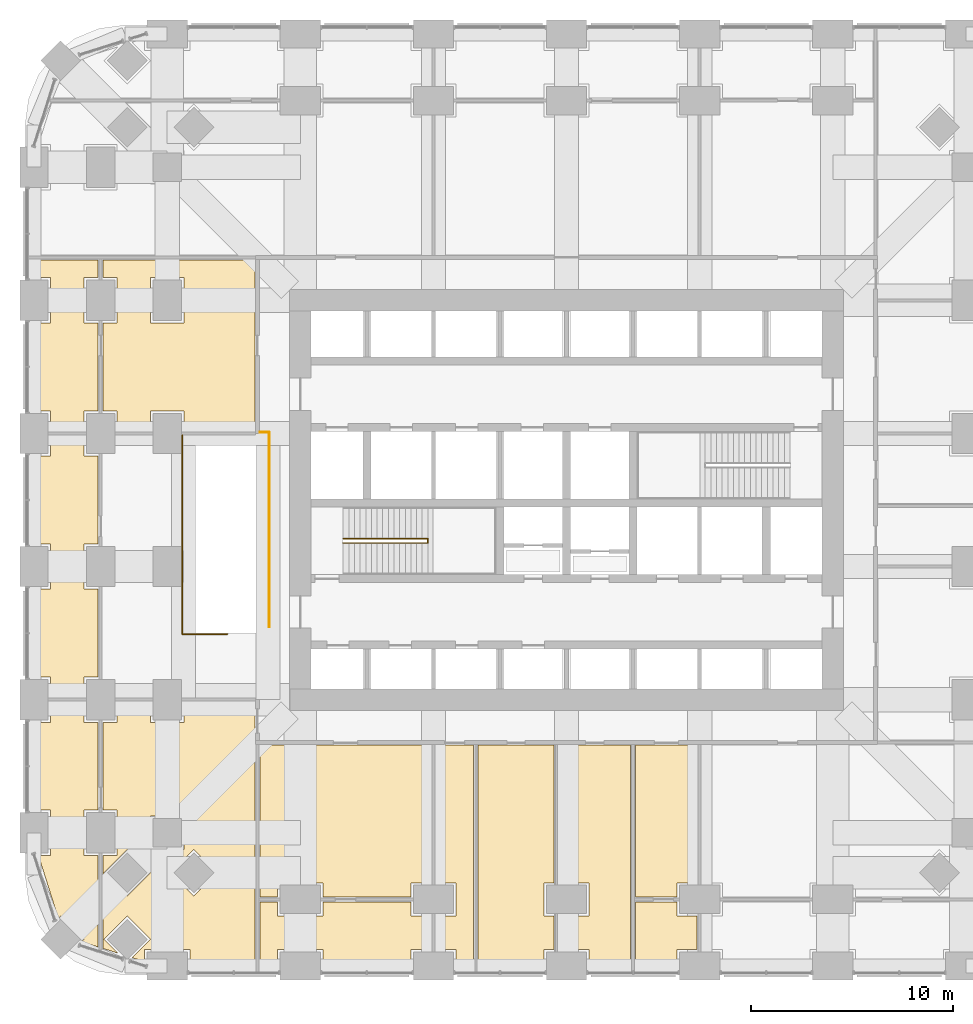
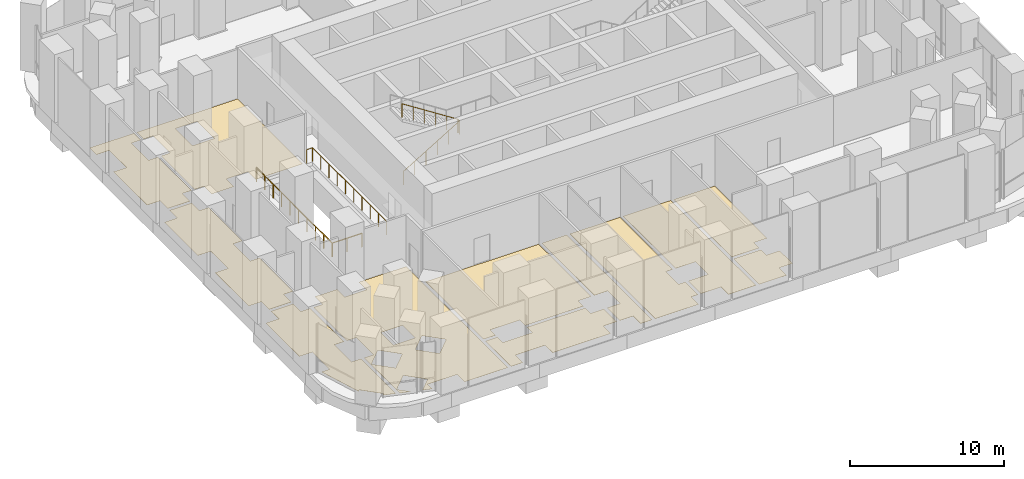
# One storey, part 15 of 17: 12 coverings, 3 railings.
"""IFC4 building model written with IfcOpenShell, lengths in metres."""

from ifc_helpers import new_model, si_unit, direction, frame, origin, place, context, subcontext, project, spatial, polyline, outline, extrude, material, layer, layer_set, type_object, element, save


model = new_model("IFC4")

# Units and contexts
model_context = context("Model", 3, precision=1e-05, world=origin(), true_north=direction((0.0, 1.0)))
body_context = subcontext(model_context, "Body", "Model", "MODEL_VIEW")
ifc_project = project(units=[si_unit("LENGTHUNIT", "METRE"), si_unit("AREAUNIT", "SQUARE_METRE"), si_unit("VOLUMEUNIT", "CUBIC_METRE"), si_unit("PLANEANGLEUNIT", "RADIAN"), si_unit("MASSUNIT", "GRAM", prefix="KILO")], contexts=[model_context])

# Site, building, storey
site_placement = place(None, origin())
site = spatial("IfcSite", under=ifc_project, at=site_placement, CompositionType="ELEMENT")
building_placement = place(site_placement, origin())
building = spatial("IfcBuilding", under=site, at=building_placement, Name="Cobogo Forest Laboratory Tower", CompositionType="ELEMENT")
storey_placement = place(building_placement, frame((0.0, 0.0, 7.199951171875)))
storey = spatial("IfcBuildingStorey", under=building, at=storey_placement, Name="L01", CompositionType="ELEMENT", Elevation=7.199951171875)

# Coverings
ifc_material_1 = material(Name="Carpet tile on raised access floor", Category="flooring")
ifc_layer_1 = layer(ifc_material_1, 0.008056640625)
ifc_layer_set_1 = layer_set([ifc_layer_1], Name="CT1 carpet tile floor 8")
covering_type_1 = type_object("IfcCoveringType", Name="CT1 carpet tile floor 8", PredefinedType="FLOORING", material=ifc_layer_set_1)
covering_1_placement = place(storey_placement, origin())
element("IfcCovering", 1, at=covering_1_placement, inside=storey, type_object=covering_type_1, Name="Carpet floor L01-02", PredefinedType="FLOORING", context=body_context, shape_type="SweptSolid", body=[
    extrude(outline(polyline([(12.080078125, 3.179931640625), (12.080078125, 2.47998046875), (14.320068359375, 2.47998046875), (14.320068359375, 3.179931640625), (18.679931640625, 3.179931640625), (18.679931640625, 2.47998046875), (19.679931640625, 2.47998046875), (19.679931640625, 0.820068359375), (18.679931640625, 0.820068359375), (18.679931640625, -0.14990234375), (14.320068359375, -0.14990234375), (14.320068359375, 0.820068359375), (12.080078125, 0.820068359375), (12.080078125, -0.14990234375), (11.195068359375, -0.14990234375), (11.195068359375, 3.179931640625), (12.080078125, 3.179931640625)])), origin(), (0.0, 0.0, 1.0), 0.008056640625),
])
covering_2_placement = place(storey_placement, origin())
element("IfcCovering", 2, at=covering_2_placement, inside=storey, type_object=covering_type_1, Name="Carpet floor L01-07", PredefinedType="FLOORING", context=body_context, shape_type="SweptSolid", body=[
    extrude(outline(polyline([(31.8798828125, 3.179931640625), (31.8798828125, 2.47998046875), (32.8798828125, 2.47998046875), (32.8798828125, 0.820068359375), (31.8798828125, 0.820068359375), (31.8798828125, -0.14990234375), (29.820068359375, -0.14990234375), (29.820068359375, 3.179931640625), (31.8798828125, 3.179931640625)])), origin(), (0.0, 0.0, 1.0), 0.008056640625),
])
covering_3_placement = place(storey_placement, origin())
element("IfcCovering", 3, at=covering_3_placement, inside=storey, type_object=covering_type_1, Name="Carpet floor L01-25", PredefinedType="FLOORING", context=body_context, shape_type="SweptSolid", body=[
    extrude(outline(polyline([(3.179931640625, 7.719970703125), (2.47998046875, 7.719970703125), (2.47998046875, 5.47998046875), (3.179931640625, 5.47998046875), (3.179931640625, 0.939697265625), (2.358642578125, 1.19921875), (2.477783203125, 1.318115234375), (1.318115234375, 2.477783203125), (1.19921875, 2.358642578125), (0.21337890625, 5.47998046875), (0.820068359375, 5.47998046875), (0.820068359375, 7.719970703125), (-0.14990234375, 7.719970703125), (-0.14990234375, 12.080078125), (0.820068359375, 12.080078125), (0.820068359375, 13.080078125), (2.47998046875, 13.080078125), (2.47998046875, 12.080078125), (3.179931640625, 12.080078125), (3.179931640625, 7.719970703125)])), origin(), (0.0, 0.0, 1.0), 0.008056640625),
])
covering_4_placement = place(storey_placement, origin())
element("IfcCovering", 4, at=covering_4_placement, inside=storey, type_object=covering_type_1, Name="Carpet floor L01-26", PredefinedType="FLOORING", context=body_context, shape_type="SweptSolid", body=[
    extrude(outline(polyline([(3.179931640625, 20.919921875), (2.47998046875, 20.919921875), (2.47998046875, 18.679931640625), (3.179931640625, 18.679931640625), (3.179931640625, 14.320068359375), (2.47998046875, 14.320068359375), (2.47998046875, 13.320068359375), (0.820068359375, 13.320068359375), (0.820068359375, 14.320068359375), (-0.14990234375, 14.320068359375), (-0.14990234375, 18.679931640625), (0.820068359375, 18.679931640625), (0.820068359375, 20.919921875), (-0.14990234375, 20.919921875), (-0.14990234375, 25.280029296875), (0.820068359375, 25.280029296875), (0.820068359375, 26.280029296875), (2.47998046875, 26.280029296875), (2.47998046875, 25.280029296875), (3.179931640625, 25.280029296875), (3.179931640625, 20.919921875)])), origin(), (0.0, 0.0, 1.0), 0.008056640625),
])
covering_5_placement = place(storey_placement, origin())
element("IfcCovering", 5, at=covering_5_placement, inside=storey, type_object=covering_type_1, Name="Carpet floor L01-28", PredefinedType="FLOORING", context=body_context, shape_type="SweptSolid", body=[
    extrude(outline(polyline([(3.179931640625, 34.1201171875), (2.47998046875, 34.1201171875), (2.47998046875, 31.8798828125), (3.179931640625, 31.8798828125), (3.179931640625, 27.52001953125), (2.47998046875, 27.52001953125), (2.47998046875, 26.52001953125), (0.820068359375, 26.52001953125), (0.820068359375, 27.52001953125), (-0.14990234375, 27.52001953125), (-0.14990234375, 31.8798828125), (0.820068359375, 31.8798828125), (0.820068359375, 34.1201171875), (-0.14990234375, 34.1201171875), (-0.14990234375, 35.0048828125), (3.179931640625, 35.0048828125), (3.179931640625, 34.1201171875)])), origin(), (0.0, 0.0, 1.0), 0.008056640625),
])

# Railings
ifc_material_2 = material(Name="Steel balustrade", Category="steel")
railing_type = type_object("IfcRailingType", Name="GR stair guard 1100", PredefinedType="GUARDRAIL", material=ifc_material_2)
railing_1_placement = place(storey_placement, frame((15.324951171875, 20.969970703125, 0.168701171875)))
element("IfcRailing", 6, at=railing_1_placement, inside=storey, type_object=railing_type, Name="Stair guard ST1 L01", PredefinedType="GUARDRAIL", context=body_context, shape_type="SweptSolid", body=[
    extrude(outline(polyline([(0.022216796875, 0.00927734375), (0.00927734375, 0.022216796875), (-0.00927734375, 0.022216796875), (-0.022216796875, 0.00927734375), (-0.022216796875, -0.00927734375), (-0.00927734375, -0.022216796875), (0.00927734375, -0.022216796875), (0.022216796875, -0.00927734375), (0.022216796875, 0.00927734375)])), frame((0.0, 0.0, 1.077880859375), z_axis=(0.856476492594, 0.0, 0.516186030065), x_axis=(0.0, 1.0, 0.0)), (0.0, 0.0, 1.0), 4.90380859375),
    extrude(outline(polyline([(0.022216796875, 0.00927734375), (0.00927734375, 0.022216796875), (-0.00927734375, 0.022216796875), (-0.022216796875, 0.00927734375), (-0.022216796875, -0.00927734375), (-0.00927734375, -0.022216796875), (0.00927734375, -0.022216796875), (0.022216796875, -0.00927734375), (0.022216796875, 0.00927734375)])), frame((4.199951171875, 0.0, 3.609130859375), z_axis=(0.0, 1.0, 0.0), x_axis=(-1.0, 0.0, 0.0)), (0.0, 0.0, 1.0), 0.2099609375),
    extrude(outline(polyline([(0.022216796875, 0.00927734375), (0.00927734375, 0.022216796875), (-0.00927734375, 0.022216796875), (-0.022216796875, 0.00927734375), (-0.022216796875, -0.00927734375), (-0.00927734375, -0.022216796875), (0.00927734375, -0.022216796875), (0.022216796875, -0.00927734375), (0.022216796875, 0.00927734375)])), frame((4.199951171875, 0.2099609375, 3.609130859375), z_axis=(-0.841157821942, 0.0, 0.54078971753), x_axis=(0.0, -1.0, 0.0)), (0.0, 0.0, 1.0), 4.9931640625),
    extrude(outline(polyline([(0.019287109375, 0.008056640625), (0.008056640625, 0.019287109375), (-0.008056640625, 0.019287109375), (-0.019287109375, 0.008056640625), (-0.019287109375, -0.008056640625), (-0.008056640625, -0.019287109375), (0.008056640625, -0.019287109375), (0.019287109375, -0.008056640625), (0.019287109375, 0.008056640625)])), origin(), (0.0, 0.0, 1.0), 1.077880859375),
    extrude(outline(polyline([(0.019287109375, 0.008056640625), (0.008056640625, 0.019287109375), (-0.008056640625, 0.019287109375), (-0.019287109375, 0.008056640625), (-0.019287109375, -0.008056640625), (-0.008056640625, -0.019287109375), (0.008056640625, -0.019287109375), (0.019287109375, -0.008056640625), (0.019287109375, 0.008056640625)])), frame((0.840087890625, 0.0, 0.50634765625)), (0.0, 0.0, 1.0), 1.077880859375),
    extrude(outline(polyline([(0.019287109375, 0.008056640625), (0.008056640625, 0.019287109375), (-0.008056640625, 0.019287109375), (-0.019287109375, 0.008056640625), (-0.019287109375, -0.008056640625), (-0.008056640625, -0.019287109375), (0.008056640625, -0.019287109375), (0.019287109375, -0.008056640625), (0.019287109375, 0.008056640625)])), frame((1.679931640625, 0.0, 1.012451171875)), (0.0, 0.0, 1.0), 1.077880859375),
    extrude(outline(polyline([(0.019287109375, 0.008056640625), (0.008056640625, 0.019287109375), (-0.008056640625, 0.019287109375), (-0.019287109375, 0.008056640625), (-0.019287109375, -0.008056640625), (-0.008056640625, -0.019287109375), (0.008056640625, -0.019287109375), (0.019287109375, -0.008056640625), (0.019287109375, 0.008056640625)])), frame((2.52001953125, 0.0, 1.518798828125)), (0.0, 0.0, 1.0), 1.077880859375),
    extrude(outline(polyline([(0.019287109375, 0.008056640625), (0.008056640625, 0.019287109375), (-0.008056640625, 0.019287109375), (-0.019287109375, 0.008056640625), (-0.019287109375, -0.008056640625), (-0.008056640625, -0.019287109375), (0.008056640625, -0.019287109375), (0.019287109375, -0.008056640625), (0.019287109375, 0.008056640625)])), frame((3.35986328125, 0.0, 2.02490234375)), (0.0, 0.0, 1.0), 1.077880859375),
    extrude(outline(polyline([(0.019287109375, 0.008056640625), (0.008056640625, 0.019287109375), (-0.008056640625, 0.019287109375), (-0.019287109375, 0.008056640625), (-0.019287109375, -0.008056640625), (-0.008056640625, -0.019287109375), (0.008056640625, -0.019287109375), (0.019287109375, -0.008056640625), (0.019287109375, 0.008056640625)])), frame((4.199951171875, 0.0, 2.53125)), (0.0, 0.0, 1.0), 1.077880859375),
    extrude(outline(polyline([(0.019287109375, 0.008056640625), (0.008056640625, 0.019287109375), (-0.008056640625, 0.019287109375), (-0.019287109375, 0.008056640625), (-0.019287109375, -0.008056640625), (-0.008056640625, -0.019287109375), (0.008056640625, -0.019287109375), (0.019287109375, -0.008056640625), (0.019287109375, 0.008056640625)])), frame((4.199951171875, 0.2099609375, 2.53125)), (0.0, 0.0, 1.0), 1.077880859375),
    extrude(outline(polyline([(0.019287109375, 0.008056640625), (0.008056640625, 0.019287109375), (-0.008056640625, 0.019287109375), (-0.019287109375, 0.008056640625), (-0.019287109375, -0.008056640625), (-0.008056640625, -0.019287109375), (0.008056640625, -0.019287109375), (0.019287109375, -0.008056640625), (0.019287109375, 0.008056640625)])), frame((3.35986328125, 0.2099609375, 3.0712890625)), (0.0, 0.0, 1.0), 1.077880859375),
    extrude(outline(polyline([(0.019287109375, 0.008056640625), (0.008056640625, 0.019287109375), (-0.008056640625, 0.019287109375), (-0.019287109375, 0.008056640625), (-0.019287109375, -0.008056640625), (-0.008056640625, -0.019287109375), (0.008056640625, -0.019287109375), (0.019287109375, -0.008056640625), (0.019287109375, 0.008056640625)])), frame((2.52001953125, 0.2099609375, 3.611328125)), (0.0, 0.0, 1.0), 1.077880859375),
    extrude(outline(polyline([(0.019287109375, 0.008056640625), (0.008056640625, 0.019287109375), (-0.008056640625, 0.019287109375), (-0.019287109375, 0.008056640625), (-0.019287109375, -0.008056640625), (-0.008056640625, -0.019287109375), (0.008056640625, -0.019287109375), (0.019287109375, -0.008056640625), (0.019287109375, 0.008056640625)])), frame((1.679931640625, 0.2099609375, 4.1513671875)), (0.0, 0.0, 1.0), 1.077880859375),
    extrude(outline(polyline([(0.019287109375, 0.008056640625), (0.008056640625, 0.019287109375), (-0.008056640625, 0.019287109375), (-0.019287109375, 0.008056640625), (-0.019287109375, -0.008056640625), (-0.008056640625, -0.019287109375), (0.008056640625, -0.019287109375), (0.019287109375, -0.008056640625), (0.019287109375, 0.008056640625)])), frame((0.840087890625, 0.2099609375, 4.69140625)), (0.0, 0.0, 1.0), 1.077880859375),
    extrude(outline(polyline([(0.019287109375, 0.008056640625), (0.008056640625, 0.019287109375), (-0.008056640625, 0.019287109375), (-0.019287109375, 0.008056640625), (-0.019287109375, -0.008056640625), (-0.008056640625, -0.019287109375), (0.008056640625, -0.019287109375), (0.019287109375, -0.008056640625), (0.019287109375, 0.008056640625)])), frame((0.0, 0.2099609375, 5.2314453125)), (0.0, 0.0, 1.0), 1.077880859375),
])
railing_2_placement = place(storey_placement, frame((9.580078125, 16.449951171875, 0.0)))
element("IfcRailing", 7, at=railing_2_placement, inside=storey, type_object=railing_type, Name="Feature stair void guard L01", PredefinedType="GUARDRAIL", context=body_context, shape_type="SweptSolid", body=[
    extrude(outline(polyline([(0.022216796875, 0.00927734375), (0.00927734375, 0.022216796875), (-0.00927734375, 0.022216796875), (-0.022216796875, 0.00927734375), (-0.022216796875, -0.00927734375), (-0.00927734375, -0.022216796875), (0.00927734375, -0.022216796875), (0.022216796875, -0.00927734375), (0.022216796875, 0.00927734375)])), frame((0.0, 0.0, 1.077880859375), z_axis=(-1.0, 0.0, 0.0), x_axis=(0.0, -1.0, 0.0)), (0.0, 0.0, 1.0), 2.22998046875),
    extrude(outline(polyline([(0.022216796875, 0.00927734375), (0.00927734375, 0.022216796875), (-0.00927734375, 0.022216796875), (-0.022216796875, 0.00927734375), (-0.022216796875, -0.00927734375), (-0.00927734375, -0.022216796875), (0.00927734375, -0.022216796875), (0.022216796875, -0.00927734375), (0.022216796875, 0.00927734375)])), frame((-2.22998046875, 0.0, 1.077880859375), z_axis=(0.0, 1.0, 0.0), x_axis=(-1.0, 0.0, 0.0)), (0.0, 0.0, 1.0), 9.85498046875),
    extrude(outline(polyline([(0.019287109375, 0.008056640625), (0.008056640625, 0.019287109375), (-0.008056640625, 0.019287109375), (-0.019287109375, 0.008056640625), (-0.019287109375, -0.008056640625), (-0.008056640625, -0.019287109375), (0.008056640625, -0.019287109375), (0.019287109375, -0.008056640625), (0.019287109375, 0.008056640625)])), origin(), (0.0, 0.0, 1.0), 1.077880859375),
    extrude(outline(polyline([(0.019287109375, 0.008056640625), (0.008056640625, 0.019287109375), (-0.008056640625, 0.019287109375), (-0.019287109375, 0.008056640625), (-0.019287109375, -0.008056640625), (-0.008056640625, -0.019287109375), (0.008056640625, -0.019287109375), (0.019287109375, -0.008056640625), (0.019287109375, 0.008056640625)])), frame((-1.114990234375, 0.0, 0.0)), (0.0, 0.0, 1.0), 1.077880859375),
    extrude(outline(polyline([(0.019287109375, 0.008056640625), (0.008056640625, 0.019287109375), (-0.008056640625, 0.019287109375), (-0.019287109375, 0.008056640625), (-0.019287109375, -0.008056640625), (-0.008056640625, -0.019287109375), (0.008056640625, -0.019287109375), (0.019287109375, -0.008056640625), (0.019287109375, 0.008056640625)])), frame((-2.22998046875, 0.0, 0.0)), (0.0, 0.0, 1.0), 1.077880859375),
    extrude(outline(polyline([(0.019287109375, 0.008056640625), (0.008056640625, 0.019287109375), (-0.008056640625, 0.019287109375), (-0.019287109375, 0.008056640625), (-0.019287109375, -0.008056640625), (-0.008056640625, -0.019287109375), (0.008056640625, -0.019287109375), (0.019287109375, -0.008056640625), (0.019287109375, 0.008056640625)])), frame((-2.22998046875, 1.094970703125, 0.0)), (0.0, 0.0, 1.0), 1.077880859375),
    extrude(outline(polyline([(0.019287109375, 0.008056640625), (0.008056640625, 0.019287109375), (-0.008056640625, 0.019287109375), (-0.019287109375, 0.008056640625), (-0.019287109375, -0.008056640625), (-0.008056640625, -0.019287109375), (0.008056640625, -0.019287109375), (0.019287109375, -0.008056640625), (0.019287109375, 0.008056640625)])), frame((-2.22998046875, 2.18994140625, 0.0)), (0.0, 0.0, 1.0), 1.077880859375),
    extrude(outline(polyline([(0.019287109375, 0.008056640625), (0.008056640625, 0.019287109375), (-0.008056640625, 0.019287109375), (-0.019287109375, 0.008056640625), (-0.019287109375, -0.008056640625), (-0.008056640625, -0.019287109375), (0.008056640625, -0.019287109375), (0.019287109375, -0.008056640625), (0.019287109375, 0.008056640625)])), frame((-2.22998046875, 3.284912109375, 0.0)), (0.0, 0.0, 1.0), 1.077880859375),
    extrude(outline(polyline([(0.019287109375, 0.008056640625), (0.008056640625, 0.019287109375), (-0.008056640625, 0.019287109375), (-0.019287109375, 0.008056640625), (-0.019287109375, -0.008056640625), (-0.008056640625, -0.019287109375), (0.008056640625, -0.019287109375), (0.019287109375, -0.008056640625), (0.019287109375, 0.008056640625)])), frame((-2.22998046875, 4.3798828125, 0.0)), (0.0, 0.0, 1.0), 1.077880859375),
    extrude(outline(polyline([(0.019287109375, 0.008056640625), (0.008056640625, 0.019287109375), (-0.008056640625, 0.019287109375), (-0.019287109375, 0.008056640625), (-0.019287109375, -0.008056640625), (-0.008056640625, -0.019287109375), (0.008056640625, -0.019287109375), (0.019287109375, -0.008056640625), (0.019287109375, 0.008056640625)])), frame((-2.22998046875, 5.47509765625, 0.0)), (0.0, 0.0, 1.0), 1.077880859375),
    extrude(outline(polyline([(0.019287109375, 0.008056640625), (0.008056640625, 0.019287109375), (-0.008056640625, 0.019287109375), (-0.019287109375, 0.008056640625), (-0.019287109375, -0.008056640625), (-0.008056640625, -0.019287109375), (0.008056640625, -0.019287109375), (0.019287109375, -0.008056640625), (0.019287109375, 0.008056640625)])), frame((-2.22998046875, 6.570068359375, 0.0)), (0.0, 0.0, 1.0), 1.077880859375),
    extrude(outline(polyline([(0.019287109375, 0.008056640625), (0.008056640625, 0.019287109375), (-0.008056640625, 0.019287109375), (-0.019287109375, 0.008056640625), (-0.019287109375, -0.008056640625), (-0.008056640625, -0.019287109375), (0.008056640625, -0.019287109375), (0.019287109375, -0.008056640625), (0.019287109375, 0.008056640625)])), frame((-2.22998046875, 7.6650390625, 0.0)), (0.0, 0.0, 1.0), 1.077880859375),
    extrude(outline(polyline([(0.019287109375, 0.008056640625), (0.008056640625, 0.019287109375), (-0.008056640625, 0.019287109375), (-0.019287109375, 0.008056640625), (-0.019287109375, -0.008056640625), (-0.008056640625, -0.019287109375), (0.008056640625, -0.019287109375), (0.019287109375, -0.008056640625), (0.019287109375, 0.008056640625)])), frame((-2.22998046875, 8.760009765625, 0.0)), (0.0, 0.0, 1.0), 1.077880859375),
    extrude(outline(polyline([(0.019287109375, 0.008056640625), (0.008056640625, 0.019287109375), (-0.008056640625, 0.019287109375), (-0.019287109375, 0.008056640625), (-0.019287109375, -0.008056640625), (-0.008056640625, -0.019287109375), (0.008056640625, -0.019287109375), (0.019287109375, -0.008056640625), (0.019287109375, 0.008056640625)])), frame((-2.22998046875, 9.85498046875, 0.0)), (0.0, 0.0, 1.0), 1.077880859375),
])
railing_3_placement = place(storey_placement, frame((11.195068359375, 26.449951171875, 0.0)))
element("IfcRailing", 8, at=railing_3_placement, inside=storey, type_object=railing_type, Name="Feature stair void guard L01 corridor side", PredefinedType="GUARDRAIL", context=body_context, shape_type="SweptSolid", body=[
    extrude(outline(polyline([(0.022216796875, 0.00927734375), (0.00927734375, 0.022216796875), (-0.00927734375, 0.022216796875), (-0.022216796875, 0.00927734375), (-0.022216796875, -0.00927734375), (-0.00927734375, -0.022216796875), (0.00927734375, -0.022216796875), (0.022216796875, -0.00927734375), (0.022216796875, 0.00927734375)])), frame((0.0, 0.0, 1.077880859375), z_axis=(1.0, 0.0, 0.0), x_axis=(0.0, 1.0, 0.0)), (0.0, 0.0, 1.0), 0.454833984375),
    extrude(outline(polyline([(0.022216796875, 0.00927734375), (0.00927734375, 0.022216796875), (-0.00927734375, 0.022216796875), (-0.022216796875, 0.00927734375), (-0.022216796875, -0.00927734375), (-0.00927734375, -0.022216796875), (0.00927734375, -0.022216796875), (0.022216796875, -0.00927734375), (0.022216796875, 0.00927734375)])), frame((0.454833984375, 0.0, 1.077880859375), z_axis=(0.0, -1.0, 0.0), x_axis=(1.0, 0.0, 0.0)), (0.0, 0.0, 1.0), 9.64990234375),
    extrude(outline(polyline([(0.019287109375, 0.008056640625), (0.008056640625, 0.019287109375), (-0.008056640625, 0.019287109375), (-0.019287109375, 0.008056640625), (-0.019287109375, -0.008056640625), (-0.008056640625, -0.019287109375), (0.008056640625, -0.019287109375), (0.019287109375, -0.008056640625), (0.019287109375, 0.008056640625)])), origin(), (0.0, 0.0, 1.0), 1.077880859375),
    extrude(outline(polyline([(0.019287109375, 0.008056640625), (0.008056640625, 0.019287109375), (-0.008056640625, 0.019287109375), (-0.019287109375, 0.008056640625), (-0.019287109375, -0.008056640625), (-0.008056640625, -0.019287109375), (0.008056640625, -0.019287109375), (0.019287109375, -0.008056640625), (0.019287109375, 0.008056640625)])), frame((0.454833984375, 0.0, 0.0)), (0.0, 0.0, 1.0), 1.077880859375),
    extrude(outline(polyline([(0.019287109375, 0.008056640625), (0.008056640625, 0.019287109375), (-0.008056640625, 0.019287109375), (-0.019287109375, 0.008056640625), (-0.019287109375, -0.008056640625), (-0.008056640625, -0.019287109375), (0.008056640625, -0.019287109375), (0.019287109375, -0.008056640625), (0.019287109375, 0.008056640625)])), frame((0.454833984375, -1.072265625, 0.0)), (0.0, 0.0, 1.0), 1.077880859375),
    extrude(outline(polyline([(0.019287109375, 0.008056640625), (0.008056640625, 0.019287109375), (-0.008056640625, 0.019287109375), (-0.019287109375, 0.008056640625), (-0.019287109375, -0.008056640625), (-0.008056640625, -0.019287109375), (0.008056640625, -0.019287109375), (0.019287109375, -0.008056640625), (0.019287109375, 0.008056640625)])), frame((0.454833984375, -2.14453125, 0.0)), (0.0, 0.0, 1.0), 1.077880859375),
    extrude(outline(polyline([(0.019287109375, 0.008056640625), (0.008056640625, 0.019287109375), (-0.008056640625, 0.019287109375), (-0.019287109375, 0.008056640625), (-0.019287109375, -0.008056640625), (-0.008056640625, -0.019287109375), (0.008056640625, -0.019287109375), (0.019287109375, -0.008056640625), (0.019287109375, 0.008056640625)])), frame((0.454833984375, -3.216552734375, 0.0)), (0.0, 0.0, 1.0), 1.077880859375),
    extrude(outline(polyline([(0.019287109375, 0.008056640625), (0.008056640625, 0.019287109375), (-0.008056640625, 0.019287109375), (-0.019287109375, 0.008056640625), (-0.019287109375, -0.008056640625), (-0.008056640625, -0.019287109375), (0.008056640625, -0.019287109375), (0.019287109375, -0.008056640625), (0.019287109375, 0.008056640625)])), frame((0.454833984375, -4.288818359375, 0.0)), (0.0, 0.0, 1.0), 1.077880859375),
    extrude(outline(polyline([(0.019287109375, 0.008056640625), (0.008056640625, 0.019287109375), (-0.008056640625, 0.019287109375), (-0.019287109375, 0.008056640625), (-0.019287109375, -0.008056640625), (-0.008056640625, -0.019287109375), (0.008056640625, -0.019287109375), (0.019287109375, -0.008056640625), (0.019287109375, 0.008056640625)])), frame((0.454833984375, -5.361083984375, 0.0)), (0.0, 0.0, 1.0), 1.077880859375),
    extrude(outline(polyline([(0.019287109375, 0.008056640625), (0.008056640625, 0.019287109375), (-0.008056640625, 0.019287109375), (-0.019287109375, 0.008056640625), (-0.019287109375, -0.008056640625), (-0.008056640625, -0.019287109375), (0.008056640625, -0.019287109375), (0.019287109375, -0.008056640625), (0.019287109375, 0.008056640625)])), frame((0.454833984375, -6.433349609375, 0.0)), (0.0, 0.0, 1.0), 1.077880859375),
    extrude(outline(polyline([(0.019287109375, 0.008056640625), (0.008056640625, 0.019287109375), (-0.008056640625, 0.019287109375), (-0.019287109375, 0.008056640625), (-0.019287109375, -0.008056640625), (-0.008056640625, -0.019287109375), (0.008056640625, -0.019287109375), (0.019287109375, -0.008056640625), (0.019287109375, 0.008056640625)])), frame((0.454833984375, -7.50537109375, 0.0)), (0.0, 0.0, 1.0), 1.077880859375),
    extrude(outline(polyline([(0.019287109375, 0.008056640625), (0.008056640625, 0.019287109375), (-0.008056640625, 0.019287109375), (-0.019287109375, 0.008056640625), (-0.019287109375, -0.008056640625), (-0.008056640625, -0.019287109375), (0.008056640625, -0.019287109375), (0.019287109375, -0.008056640625), (0.019287109375, 0.008056640625)])), frame((0.454833984375, -8.57763671875, 0.0)), (0.0, 0.0, 1.0), 1.077880859375),
    extrude(outline(polyline([(0.019287109375, 0.008056640625), (0.008056640625, 0.019287109375), (-0.008056640625, 0.019287109375), (-0.019287109375, 0.008056640625), (-0.019287109375, -0.008056640625), (-0.008056640625, -0.019287109375), (0.008056640625, -0.019287109375), (0.019287109375, -0.008056640625), (0.019287109375, 0.008056640625)])), frame((0.454833984375, -9.64990234375, 0.0)), (0.0, 0.0, 1.0), 1.077880859375),
])

# Coverings
ifc_material_3 = material(Name="Epoxy resin flooring", Category="flooring")
ifc_layer_2 = layer(ifc_material_3, 0.00390625)
ifc_layer_set_2 = layer_set([ifc_layer_2], Name="LF1 epoxy laboratory floor 4")
covering_type_2 = type_object("IfcCoveringType", Name="LF1 epoxy laboratory floor 4", PredefinedType="FLOORING", material=ifc_layer_set_2)
covering_6_placement = place(storey_placement, origin())
element("IfcCovering", 9, at=covering_6_placement, inside=storey, type_object=covering_type_2, Name="Epoxy laboratory floor L01-01", PredefinedType="FLOORING", context=body_context, shape_type="SweptSolid", body=[
    extrude(outline(polyline([(11.195068359375, 10.955078125), (19.679931640625, 10.955078125), (19.679931640625, 4.1201171875), (18.679931640625, 4.1201171875), (18.679931640625, 3.419921875), (14.320068359375, 3.419921875), (14.320068359375, 4.1201171875), (12.080078125, 4.1201171875), (12.080078125, 3.419921875), (11.195068359375, 3.419921875), (11.195068359375, 10.955078125)])), origin(), (0.0, 0.0, 1.0), 0.004150390625),
])
covering_7_placement = place(storey_placement, origin())
element("IfcCovering", 10, at=covering_7_placement, inside=storey, type_object=covering_type_2, Name="Epoxy laboratory floor L01-06", PredefinedType="FLOORING", context=body_context, shape_type="SweptSolid", body=[
    extrude(outline(polyline([(29.820068359375, 10.955078125), (32.8798828125, 10.955078125), (32.8798828125, 4.1201171875), (31.8798828125, 4.1201171875), (31.8798828125, 3.419921875), (29.820068359375, 3.419921875), (29.820068359375, 10.955078125)])), origin(), (0.0, 0.0, 1.0), 0.004150390625),
])
covering_8_placement = place(storey_placement, origin())
element("IfcCovering", 11, at=covering_8_placement, inside=storey, type_object=covering_type_2, Name="Epoxy laboratory floor L01-24", PredefinedType="FLOORING", context=body_context, shape_type="SweptSolid", body=[
    extrude(outline(polyline([(5.780029296875, 13.080078125), (5.780029296875, 12.080078125), (7.419921875, 12.080078125), (7.419921875, 13.080078125), (10.955078125, 13.080078125), (10.955078125, -0.14990234375), (7.719970703125, -0.14990234375), (7.719970703125, 0.820068359375), (5.47998046875, 0.820068359375), (5.47998046875, 0.21337890625), (4.86669921875, 0.406982421875), (5.777587890625, 1.318115234375), (4.617919921875, 2.477783203125), (3.458251953125, 1.318115234375), (4.1396484375, 0.63671875), (3.419921875, 0.864013671875), (3.419921875, 5.47998046875), (4.1201171875, 5.47998046875), (4.1201171875, 7.719970703125), (3.419921875, 7.719970703125), (3.419921875, 12.080078125), (4.1201171875, 12.080078125), (4.1201171875, 13.080078125), (5.780029296875, 13.080078125)]), holes=[polyline([(7.91796875, 5.777587890625), (6.75830078125, 4.617919921875), (7.91796875, 3.458251953125), (9.07763671875, 4.617919921875), (7.91796875, 5.777587890625)]), polyline([(5.780029296875, 7.419921875), (5.780029296875, 5.780029296875), (7.419921875, 5.780029296875), (7.419921875, 7.419921875), (5.780029296875, 7.419921875)]), polyline([(3.458251953125, 4.617919921875), (4.617919921875, 3.458251953125), (5.777587890625, 4.617919921875), (4.617919921875, 5.777587890625), (3.458251953125, 4.617919921875)])]), origin(), (0.0, 0.0, 1.0), 0.004150390625),
])
covering_9_placement = place(storey_placement, origin())
element("IfcCovering", 12, at=covering_9_placement, inside=storey, type_object=covering_type_2, Name="Epoxy laboratory floor L01-27", PredefinedType="FLOORING", context=body_context, shape_type="SweptSolid", body=[
    extrude(outline(polyline([(3.419921875, 31.8798828125), (4.1201171875, 31.8798828125), (4.1201171875, 34.1201171875), (3.419921875, 34.1201171875), (3.419921875, 35.0048828125), (10.955078125, 35.0048828125), (10.955078125, 26.52001953125), (7.419921875, 26.52001953125), (7.419921875, 27.52001953125), (5.780029296875, 27.52001953125), (5.780029296875, 26.52001953125), (4.1201171875, 26.52001953125), (4.1201171875, 27.52001953125), (3.419921875, 27.52001953125), (3.419921875, 31.8798828125)]), holes=[polyline([(5.780029296875, 31.8798828125), (7.419921875, 31.8798828125), (7.419921875, 34.1201171875), (5.780029296875, 34.1201171875), (5.780029296875, 31.8798828125)])]), origin(), (0.0, 0.0, 1.0), 0.004150390625),
])
ifc_material_4 = material(Name="Ceramic floor tile", Category="flooring")
ifc_layer_3 = layer(ifc_material_4, 0.010009765625)
ifc_layer_set_3 = layer_set([ifc_layer_3], Name="TF1 ceramic tile floor 10")
covering_type_3 = type_object("IfcCoveringType", Name="TF1 ceramic tile floor 10", PredefinedType="FLOORING", material=ifc_layer_set_3)
covering_10_placement = place(storey_placement, origin())
element("IfcCovering", 13, at=covering_10_placement, inside=storey, type_object=covering_type_3, Name="Tile floor L01-03", PredefinedType="FLOORING", context=body_context, shape_type="SweptSolid", body=[
    extrude(outline(polyline([(21.780029296875, 10.955078125), (21.780029296875, -0.14990234375), (20.919921875, -0.14990234375), (20.919921875, 0.820068359375), (19.919921875, 0.820068359375), (19.919921875, 2.47998046875), (20.919921875, 2.47998046875), (20.919921875, 4.1201171875), (19.919921875, 4.1201171875), (19.919921875, 10.955078125), (21.780029296875, 10.955078125)])), origin(), (0.0, 0.0, 1.0), 0.010009765625),
])
covering_11_placement = place(storey_placement, origin())
element("IfcCovering", 14, at=covering_11_placement, inside=storey, type_object=covering_type_3, Name="Tile floor L01-04", PredefinedType="FLOORING", context=body_context, shape_type="SweptSolid", body=[
    extrude(outline(polyline([(25.780029296875, 10.955078125), (25.780029296875, 4.1201171875), (25.280029296875, 4.1201171875), (25.280029296875, 2.47998046875), (25.780029296875, 2.47998046875), (25.780029296875, 0.820068359375), (25.280029296875, 0.820068359375), (25.280029296875, -0.14990234375), (22.02001953125, -0.14990234375), (22.02001953125, 10.955078125), (25.780029296875, 10.955078125)])), origin(), (0.0, 0.0, 1.0), 0.010009765625),
])
covering_12_placement = place(storey_placement, origin())
element("IfcCovering", 15, at=covering_12_placement, inside=storey, type_object=covering_type_3, Name="Tile floor L01-05", PredefinedType="FLOORING", context=body_context, shape_type="SweptSolid", body=[
    extrude(outline(polyline([(29.580078125, 10.955078125), (29.580078125, -0.14990234375), (27.52001953125, -0.14990234375), (27.52001953125, 0.820068359375), (26.02001953125, 0.820068359375), (26.02001953125, 2.47998046875), (27.52001953125, 2.47998046875), (27.52001953125, 4.1201171875), (26.02001953125, 4.1201171875), (26.02001953125, 10.955078125), (29.580078125, 10.955078125)])), origin(), (0.0, 0.0, 1.0), 0.010009765625),
])

save(model, "model.ifc")
